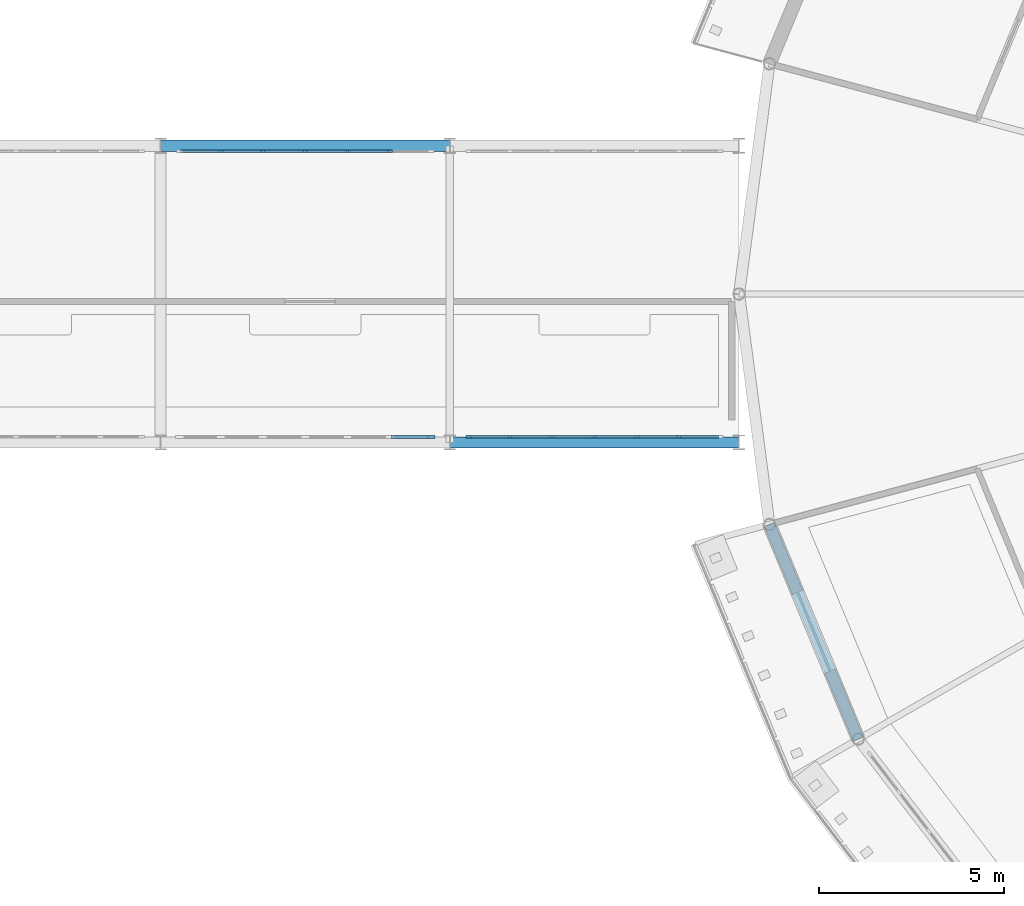
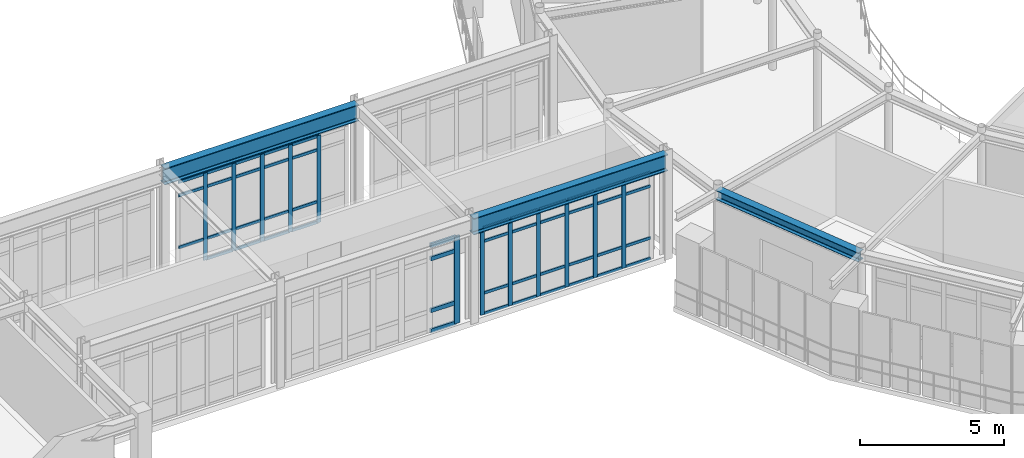
# One storey, part 29 of 90: 59 members, 3 beams, 3 elements without a shape of their own.
"""IFC4 building model written with IfcOpenShell, lengths in metres."""

from ifc_helpers import new_model, si_unit, derived_unit, direction, frame, origin, origin_2d, place, context, subcontext, project, spatial, rectangle, i_section, extrude, material, layer, layer_set, material_profile, profile_set, type_object, element, aggregate, save


model = new_model("IFC4")

# Units and contexts
model_context = context("Model", 3, precision=1e-05, world=origin(), true_north=direction((0.0, 1.0)))
body_context = subcontext(model_context, "Body", "Model", "MODEL_VIEW")
ifc_project = project(units=[si_unit("LENGTHUNIT", "METRE"), si_unit("AREAUNIT", "SQUARE_METRE"), si_unit("VOLUMEUNIT", "CUBIC_METRE"), si_unit("PLANEANGLEUNIT", "RADIAN"), si_unit("MASSUNIT", "GRAM", prefix="KILO"), derived_unit("THERMALTRANSMITTANCEUNIT", [(si_unit("POWERUNIT", "WATT"), 1), (si_unit("AREAUNIT", "SQUARE_METRE"), -1), (si_unit("THERMODYNAMICTEMPERATUREUNIT", "KELVIN"), -1)])], contexts=[model_context])

# Site, building, storey
site_placement = place(None, origin())
site = spatial("IfcSite", under=ifc_project, at=site_placement, CompositionType="ELEMENT")
building_placement = place(site_placement, origin())
building = spatial("IfcBuilding", under=site, at=building_placement, Name="Yasenodar Specialist Clinic", CompositionType="ELEMENT")
storey_placement = place(building_placement, frame((0.0, 0.0, 9.0)))
storey = spatial("IfcBuildingStorey", under=building, at=storey_placement, Name="L02", CompositionType="ELEMENT", Elevation=9.0)

# Beams
ifc_material_1 = material(Name="Steel S355", Category="steel")
ifc_material_profile_1 = material_profile(ifc_material_1, i_section(OverallWidth=0.300048828125, OverallDepth=0.389892578125, WebThickness=0.010986328125, FlangeThickness=0.01904296875, FilletRadius=0.027099609375, at=origin_2d()), Name="HEA 400")
ifc_profile_set_1 = profile_set([ifc_material_profile_1], Name="Steel S355")
beam_type_1 = type_object("IfcBeamType", Name="BM-HEA400", PredefinedType="BEAM", material=ifc_profile_set_1)
beam_placement = place(storey_placement, frame((57.81787109375, 52.58837890625, 3.7548828125), z_axis=(0.382663829839, -0.9238876519, 0.0), x_axis=(0.9238876519, 0.382663829839, 0.0)))
element("IfcBeam", 1, at=beam_placement, inside=storey, type_object=beam_type_1, Name="L02 Drum V1 Perimeter Ring Beam", PredefinedType="BEAM", context=body_context, shape_type="SweptSolid", body=[
    extrude(i_section(OverallWidth=0.300048828125, OverallDepth=0.389892578125, WebThickness=0.010986328125, FlangeThickness=0.01904296875, FilletRadius=0.027099609375, at=origin_2d()), origin(), (0.0, 0.0, 1.0), 6.26513671875),
])
ifc_material_profile_2 = material_profile(ifc_material_1, i_section(OverallWidth=0.300048828125, OverallDepth=0.699951171875, WebThickness=0.01708984375, FlangeThickness=0.031982421875, FilletRadius=0.027099609375, at=origin_2d()), Name="HEB 700")
ifc_profile_set_2 = profile_set([ifc_material_profile_2], Name="Steel S355")
beam_type_2 = type_object("IfcBeamType", Name="BM-HEB700", PredefinedType="BEAM", material=ifc_profile_set_2)
for number, where, z_axis, x_axis, name in (
    (2, (49.199951171875, 54.800048828125, 4.074951171875), (1.0, 0.0, 0.0), (0.0, 1.0, 0.0), "L02 Light Bridge Girder"),
    (3, (41.39990234375, 62.800048828125, 4.074951171875), (1.0, 0.0, 0.0), (0.0, 1.0, 0.0), "L02 Light Bridge Girder"),
):
    element("IfcBeam", number, at=place(storey_placement, frame(where, z_axis=z_axis, x_axis=x_axis)), inside=storey, type_object=beam_type_2, Name=name, PredefinedType="BEAM", context=body_context, shape_type="SweptSolid", body=[
        extrude(i_section(OverallWidth=0.300048828125, OverallDepth=0.699951171875, WebThickness=0.01708984375, FlangeThickness=0.031982421875, FilletRadius=0.027099609375, at=origin_2d()), origin(), (0.0, 0.0, 1.0), 7.800048828125),
    ])

# Curtain wall, members
ifc_material_2 = material(Name="Bronze Anodized Aluminium and Triple Low-E Glass", Category="aluminium")
ifc_layer = layer(ifc_material_2, 0.19091796875)
ifc_layer_set = layer_set([ifc_layer], Name="Bronze Anodized Aluminium and Triple Low-E Glass")
curtain_wall_type = type_object("IfcCurtainWallType", Name="CW-SYS-03", PredefinedType="USERDEFINED", material=ifc_layer_set)
curtain_wall_1_placement = place(storey_placement, origin())
curtain_wall_1 = element("IfcCurtainWall", 4, at=curtain_wall_1_placement, inside=storey, type_object=curtain_wall_type, Name="L02 Unitised Curtain Wall 109", ObjectType="UNITISED CURTAIN WALL", PredefinedType="USERDEFINED")
ifc_material_3 = material(Name="Bronze Anodized Aluminium", Category="aluminium")
ifc_material_profile_3 = material_profile(ifc_material_3, rectangle(XDim=0.06005859375, YDim=0.159912109375, at=origin_2d()), Name="CW-MULL 60x160")
ifc_profile_set_3 = profile_set([ifc_material_profile_3], Name="Bronze Anodized Aluminium")
member_type_1 = type_object("IfcMemberType", Name="CW-MULL-160", PredefinedType="MULLION", material=ifc_profile_set_3)
member_1_placement = place(storey_placement, frame((43.02001953125, 62.64990234375, 0.0), z_axis=(0.0, 0.0, 1.0), x_axis=(0.0, 1.0, 0.0)))
member_1 = element("IfcMember", 5, at=member_1_placement, type_object=member_type_1, Name="CW-03 mullion 2", PredefinedType="MULLION", context=body_context, shape_type="SweptSolid", body=[
    extrude(rectangle(XDim=0.06005859375, YDim=0.159912109375, at=origin_2d()), origin(), (0.0, 0.0, 1.0), 3.702880859375),
])
member_2_placement = place(storey_placement, frame((44.159912109375, 62.64990234375, 0.0), z_axis=(0.0, 0.0, 1.0), x_axis=(0.0, 1.0, 0.0)))
member_2 = element("IfcMember", 6, at=member_2_placement, type_object=member_type_1, Name="CW-03 mullion 3", PredefinedType="MULLION", context=body_context, shape_type="SweptSolid", body=[
    extrude(rectangle(XDim=0.06005859375, YDim=0.159912109375, at=origin_2d()), origin(), (0.0, 0.0, 1.0), 3.702880859375),
])
member_3_placement = place(storey_placement, frame((45.300048828125, 62.64990234375, 0.0), z_axis=(0.0, 0.0, 1.0), x_axis=(0.0, 1.0, 0.0)))
member_3 = element("IfcMember", 7, at=member_3_placement, type_object=member_type_1, Name="CW-03 mullion 4", PredefinedType="MULLION", context=body_context, shape_type="SweptSolid", body=[
    extrude(rectangle(XDim=0.06005859375, YDim=0.159912109375, at=origin_2d()), origin(), (0.0, 0.0, 1.0), 3.702880859375),
])
member_4_placement = place(storey_placement, frame((46.43994140625, 62.64990234375, 0.0), z_axis=(0.0, 0.0, 1.0), x_axis=(0.0, 1.0, 0.0)))
member_4 = element("IfcMember", 8, at=member_4_placement, type_object=member_type_1, Name="CW-03 mullion 5", PredefinedType="MULLION", context=body_context, shape_type="SweptSolid", body=[
    extrude(rectangle(XDim=0.06005859375, YDim=0.159912109375, at=origin_2d()), origin(), (0.0, 0.0, 1.0), 3.702880859375),
])
member_5_placement = place(storey_placement, frame((47.580078125, 62.64990234375, 0.0), z_axis=(0.0, 0.0, 1.0), x_axis=(0.0, 1.0, 0.0)))
member_5 = element("IfcMember", 9, at=member_5_placement, type_object=member_type_1, Name="CW-03 mullion 6", PredefinedType="MULLION", context=body_context, shape_type="SweptSolid", body=[
    extrude(rectangle(XDim=0.06005859375, YDim=0.159912109375, at=origin_2d()), origin(), (0.0, 0.0, 1.0), 3.702880859375),
])

curtain_wall_2_placement = place(storey_placement, origin())
curtain_wall_2 = element("IfcCurtainWall", 10, at=curtain_wall_2_placement, inside=storey, type_object=curtain_wall_type, Name="L02 Unitised Curtain Wall 112", ObjectType="UNITISED CURTAIN WALL", PredefinedType="USERDEFINED")
member_6_placement = place(storey_placement, frame((55.3798828125, 54.949951171875, 0.0), z_axis=(0.0, 0.0, 1.0), x_axis=(0.0, -1.0, 0.0)))
member_6 = element("IfcMember", 11, at=member_6_placement, type_object=member_type_1, Name="CW-03 mullion 2", PredefinedType="MULLION", context=body_context, shape_type="SweptSolid", body=[
    extrude(rectangle(XDim=0.06005859375, YDim=0.159912109375, at=origin_2d()), origin(), (0.0, 0.0, 1.0), 3.702880859375),
])
member_7_placement = place(storey_placement, frame((54.239990234375, 54.949951171875, 0.0), z_axis=(0.0, 0.0, 1.0), x_axis=(0.0, -1.0, 0.0)))
member_7 = element("IfcMember", 12, at=member_7_placement, type_object=member_type_1, Name="CW-03 mullion 3", PredefinedType="MULLION", context=body_context, shape_type="SweptSolid", body=[
    extrude(rectangle(XDim=0.06005859375, YDim=0.159912109375, at=origin_2d()), origin(), (0.0, 0.0, 1.0), 3.702880859375),
])
member_8_placement = place(storey_placement, frame((53.10009765625, 54.949951171875, 0.0), z_axis=(0.0, 0.0, 1.0), x_axis=(0.0, -1.0, 0.0)))
member_8 = element("IfcMember", 13, at=member_8_placement, type_object=member_type_1, Name="CW-03 mullion 4", PredefinedType="MULLION", context=body_context, shape_type="SweptSolid", body=[
    extrude(rectangle(XDim=0.06005859375, YDim=0.159912109375, at=origin_2d()), origin(), (0.0, 0.0, 1.0), 3.702880859375),
])
member_9_placement = place(storey_placement, frame((51.9599609375, 54.949951171875, 0.0), z_axis=(0.0, 0.0, 1.0), x_axis=(0.0, -1.0, 0.0)))
member_9 = element("IfcMember", 14, at=member_9_placement, type_object=member_type_1, Name="CW-03 mullion 5", PredefinedType="MULLION", context=body_context, shape_type="SweptSolid", body=[
    extrude(rectangle(XDim=0.06005859375, YDim=0.159912109375, at=origin_2d()), origin(), (0.0, 0.0, 1.0), 3.702880859375),
])
member_10_placement = place(storey_placement, frame((50.820068359375, 54.949951171875, 0.0), z_axis=(0.0, 0.0, 1.0), x_axis=(0.0, -1.0, 0.0)))
member_10 = element("IfcMember", 15, at=member_10_placement, type_object=member_type_1, Name="CW-03 mullion 6", PredefinedType="MULLION", context=body_context, shape_type="SweptSolid", body=[
    extrude(rectangle(XDim=0.06005859375, YDim=0.159912109375, at=origin_2d()), origin(), (0.0, 0.0, 1.0), 3.702880859375),
])
member_11_placement = place(storey_placement, frame((49.7099609375, 54.949951171875, 0.0), z_axis=(0.0, 0.0, 1.0), x_axis=(0.0, -1.0, 0.0)))
member_11 = element("IfcMember", 16, at=member_11_placement, type_object=member_type_1, Name="CW-03 mullion 7", PredefinedType="MULLION", context=body_context, shape_type="SweptSolid", body=[
    extrude(rectangle(XDim=0.06005859375, YDim=0.159912109375, at=origin_2d()), origin(), (0.0, 0.0, 1.0), 3.702880859375),
])

# Curtain wall, member
curtain_wall_3_placement = place(storey_placement, origin())
curtain_wall_3 = element("IfcCurtainWall", 17, at=curtain_wall_3_placement, inside=storey, type_object=curtain_wall_type, Name="L02 Unitised Curtain Wall 110", ObjectType="UNITISED CURTAIN WALL", PredefinedType="USERDEFINED")
ifc_material_profile_4 = material_profile(ifc_material_3, rectangle(XDim=0.074951171875, YDim=0.22509765625, at=origin_2d()), Name="CW-MULL 75x225")
ifc_profile_set_4 = profile_set([ifc_material_profile_4], Name="Bronze Anodized Aluminium")
member_type_2 = type_object("IfcMemberType", Name="CW-MULL-225", PredefinedType="MULLION", material=ifc_profile_set_4)
member_12_placement = place(storey_placement, frame((48.6826171875, 54.949951171875, 0.0), z_axis=(0.0, 0.0, 1.0), x_axis=(0.0, -1.0, 0.0)))
member_12 = element("IfcMember", 18, at=member_12_placement, type_object=member_type_2, Name="CW-03 mullion 1", PredefinedType="MULLION", context=body_context, shape_type="SweptSolid", body=[
    extrude(rectangle(XDim=0.074951171875, YDim=0.22509765625, at=origin_2d()), origin(), (0.0, 0.0, 1.0), 3.702880859375),
])

# Member
ifc_material_profile_5 = material_profile(ifc_material_3, rectangle(XDim=0.06005859375, YDim=0.1201171875, at=origin_2d()), Name="CW-TRAN 60x120")
ifc_profile_set_5 = profile_set([ifc_material_profile_5], Name="Bronze Anodized Aluminium")
member_type_3 = type_object("IfcMemberType", Name="CW-TRAN-120", PredefinedType="USERDEFINED", material=ifc_profile_set_5)
member_13_placement = place(storey_placement, frame((41.93994140625, 62.64990234375, 0.89990234375), z_axis=(1.0, 0.0, 0.0), x_axis=(0.0, 1.0, 0.0)))
member_13 = element("IfcMember", 19, at=member_13_placement, type_object=member_type_3, Name="CW-03 transom 1.2", ObjectType="TRANSOM", PredefinedType="USERDEFINED", context=body_context, shape_type="SweptSolid", body=[
    extrude(rectangle(XDim=0.06005859375, YDim=0.1201171875, at=origin_2d()), origin(), (0.0, 0.0, 1.0), 1.050048828125),
])

member_14_placement = place(storey_placement, frame((41.93994140625, 62.64990234375, 3.10302734375), z_axis=(1.0, 0.0, 0.0), x_axis=(0.0, 1.0, 0.0)))
member_14 = element("IfcMember", 20, at=member_14_placement, type_object=member_type_3, Name="CW-03 transom 1.3", ObjectType="TRANSOM", PredefinedType="USERDEFINED", context=body_context, shape_type="SweptSolid", body=[
    extrude(rectangle(XDim=0.06005859375, YDim=0.1201171875, at=origin_2d()), origin(), (0.0, 0.0, 1.0), 1.050048828125),
])

member_15_placement = place(storey_placement, frame((41.93994140625, 62.64990234375, 3.673095703125), z_axis=(1.0, 0.0, 0.0), x_axis=(0.0, 1.0, 0.0)))
member_15 = element("IfcMember", 21, at=member_15_placement, type_object=member_type_3, Name="CW-03 transom 1.4", ObjectType="TRANSOM", PredefinedType="USERDEFINED", context=body_context, shape_type="SweptSolid", body=[
    extrude(rectangle(XDim=0.06005859375, YDim=0.1201171875, at=origin_2d()), origin(), (0.0, 0.0, 1.0), 1.050048828125),
])

member_16_placement = place(storey_placement, frame((43.050048828125, 62.64990234375, 0.030029296875), z_axis=(1.0, 0.0, 0.0), x_axis=(0.0, 1.0, 0.0)))
member_16 = element("IfcMember", 22, at=member_16_placement, type_object=member_type_3, Name="CW-03 transom 2.1", ObjectType="TRANSOM", PredefinedType="USERDEFINED", context=body_context, shape_type="SweptSolid", body=[
    extrude(rectangle(XDim=0.06005859375, YDim=0.1201171875, at=origin_2d()), origin(), (0.0, 0.0, 1.0), 1.079833984375),
])

member_17_placement = place(storey_placement, frame((43.050048828125, 62.64990234375, 0.89990234375), z_axis=(1.0, 0.0, 0.0), x_axis=(0.0, 1.0, 0.0)))
member_17 = element("IfcMember", 23, at=member_17_placement, type_object=member_type_3, Name="CW-03 transom 2.2", ObjectType="TRANSOM", PredefinedType="USERDEFINED", context=body_context, shape_type="SweptSolid", body=[
    extrude(rectangle(XDim=0.06005859375, YDim=0.1201171875, at=origin_2d()), origin(), (0.0, 0.0, 1.0), 1.079833984375),
])

member_18_placement = place(storey_placement, frame((43.050048828125, 62.64990234375, 3.10302734375), z_axis=(1.0, 0.0, 0.0), x_axis=(0.0, 1.0, 0.0)))
member_18 = element("IfcMember", 24, at=member_18_placement, type_object=member_type_3, Name="CW-03 transom 2.3", ObjectType="TRANSOM", PredefinedType="USERDEFINED", context=body_context, shape_type="SweptSolid", body=[
    extrude(rectangle(XDim=0.06005859375, YDim=0.1201171875, at=origin_2d()), origin(), (0.0, 0.0, 1.0), 1.079833984375),
])

member_19_placement = place(storey_placement, frame((43.050048828125, 62.64990234375, 3.673095703125), z_axis=(1.0, 0.0, 0.0), x_axis=(0.0, 1.0, 0.0)))
member_19 = element("IfcMember", 25, at=member_19_placement, type_object=member_type_3, Name="CW-03 transom 2.4", ObjectType="TRANSOM", PredefinedType="USERDEFINED", context=body_context, shape_type="SweptSolid", body=[
    extrude(rectangle(XDim=0.06005859375, YDim=0.1201171875, at=origin_2d()), origin(), (0.0, 0.0, 1.0), 1.079833984375),
])

member_20_placement = place(storey_placement, frame((44.18994140625, 62.64990234375, 0.030029296875), z_axis=(1.0, 0.0, 0.0), x_axis=(0.0, 1.0, 0.0)))
member_20 = element("IfcMember", 26, at=member_20_placement, type_object=member_type_3, Name="CW-03 transom 3.1", ObjectType="TRANSOM", PredefinedType="USERDEFINED", context=body_context, shape_type="SweptSolid", body=[
    extrude(rectangle(XDim=0.06005859375, YDim=0.1201171875, at=origin_2d()), origin(), (0.0, 0.0, 1.0), 1.080078125),
])

member_21_placement = place(storey_placement, frame((44.18994140625, 62.64990234375, 0.89990234375), z_axis=(1.0, 0.0, 0.0), x_axis=(0.0, 1.0, 0.0)))
member_21 = element("IfcMember", 27, at=member_21_placement, type_object=member_type_3, Name="CW-03 transom 3.2", ObjectType="TRANSOM", PredefinedType="USERDEFINED", context=body_context, shape_type="SweptSolid", body=[
    extrude(rectangle(XDim=0.06005859375, YDim=0.1201171875, at=origin_2d()), origin(), (0.0, 0.0, 1.0), 1.080078125),
])

member_22_placement = place(storey_placement, frame((44.18994140625, 62.64990234375, 3.10302734375), z_axis=(1.0, 0.0, 0.0), x_axis=(0.0, 1.0, 0.0)))
member_22 = element("IfcMember", 28, at=member_22_placement, type_object=member_type_3, Name="CW-03 transom 3.3", ObjectType="TRANSOM", PredefinedType="USERDEFINED", context=body_context, shape_type="SweptSolid", body=[
    extrude(rectangle(XDim=0.06005859375, YDim=0.1201171875, at=origin_2d()), origin(), (0.0, 0.0, 1.0), 1.080078125),
])

member_23_placement = place(storey_placement, frame((44.18994140625, 62.64990234375, 3.673095703125), z_axis=(1.0, 0.0, 0.0), x_axis=(0.0, 1.0, 0.0)))
member_23 = element("IfcMember", 29, at=member_23_placement, type_object=member_type_3, Name="CW-03 transom 3.4", ObjectType="TRANSOM", PredefinedType="USERDEFINED", context=body_context, shape_type="SweptSolid", body=[
    extrude(rectangle(XDim=0.06005859375, YDim=0.1201171875, at=origin_2d()), origin(), (0.0, 0.0, 1.0), 1.080078125),
])

member_24_placement = place(storey_placement, frame((45.330078125, 62.64990234375, 0.030029296875), z_axis=(1.0, 0.0, 0.0), x_axis=(0.0, 1.0, 0.0)))
member_24 = element("IfcMember", 30, at=member_24_placement, type_object=member_type_3, Name="CW-03 transom 4.1", ObjectType="TRANSOM", PredefinedType="USERDEFINED", context=body_context, shape_type="SweptSolid", body=[
    extrude(rectangle(XDim=0.06005859375, YDim=0.1201171875, at=origin_2d()), origin(), (0.0, 0.0, 1.0), 1.079833984375),
])

member_25_placement = place(storey_placement, frame((45.330078125, 62.64990234375, 0.89990234375), z_axis=(1.0, 0.0, 0.0), x_axis=(0.0, 1.0, 0.0)))
member_25 = element("IfcMember", 31, at=member_25_placement, type_object=member_type_3, Name="CW-03 transom 4.2", ObjectType="TRANSOM", PredefinedType="USERDEFINED", context=body_context, shape_type="SweptSolid", body=[
    extrude(rectangle(XDim=0.06005859375, YDim=0.1201171875, at=origin_2d()), origin(), (0.0, 0.0, 1.0), 1.079833984375),
])

member_26_placement = place(storey_placement, frame((45.330078125, 62.64990234375, 3.10302734375), z_axis=(1.0, 0.0, 0.0), x_axis=(0.0, 1.0, 0.0)))
member_26 = element("IfcMember", 32, at=member_26_placement, type_object=member_type_3, Name="CW-03 transom 4.3", ObjectType="TRANSOM", PredefinedType="USERDEFINED", context=body_context, shape_type="SweptSolid", body=[
    extrude(rectangle(XDim=0.06005859375, YDim=0.1201171875, at=origin_2d()), origin(), (0.0, 0.0, 1.0), 1.079833984375),
])

member_27_placement = place(storey_placement, frame((45.330078125, 62.64990234375, 3.673095703125), z_axis=(1.0, 0.0, 0.0), x_axis=(0.0, 1.0, 0.0)))
member_27 = element("IfcMember", 33, at=member_27_placement, type_object=member_type_3, Name="CW-03 transom 4.4", ObjectType="TRANSOM", PredefinedType="USERDEFINED", context=body_context, shape_type="SweptSolid", body=[
    extrude(rectangle(XDim=0.06005859375, YDim=0.1201171875, at=origin_2d()), origin(), (0.0, 0.0, 1.0), 1.079833984375),
])

member_28_placement = place(storey_placement, frame((46.469970703125, 62.64990234375, 0.030029296875), z_axis=(1.0, 0.0, 0.0), x_axis=(0.0, 1.0, 0.0)))
member_28 = element("IfcMember", 34, at=member_28_placement, type_object=member_type_3, Name="CW-03 transom 5.1", ObjectType="TRANSOM", PredefinedType="USERDEFINED", context=body_context, shape_type="SweptSolid", body=[
    extrude(rectangle(XDim=0.06005859375, YDim=0.1201171875, at=origin_2d()), origin(), (0.0, 0.0, 1.0), 1.080078125),
])

member_29_placement = place(storey_placement, frame((46.469970703125, 62.64990234375, 0.89990234375), z_axis=(1.0, 0.0, 0.0), x_axis=(0.0, 1.0, 0.0)))
member_29 = element("IfcMember", 35, at=member_29_placement, type_object=member_type_3, Name="CW-03 transom 5.2", ObjectType="TRANSOM", PredefinedType="USERDEFINED", context=body_context, shape_type="SweptSolid", body=[
    extrude(rectangle(XDim=0.06005859375, YDim=0.1201171875, at=origin_2d()), origin(), (0.0, 0.0, 1.0), 1.080078125),
])

member_30_placement = place(storey_placement, frame((46.469970703125, 62.64990234375, 3.10302734375), z_axis=(1.0, 0.0, 0.0), x_axis=(0.0, 1.0, 0.0)))
member_30 = element("IfcMember", 36, at=member_30_placement, type_object=member_type_3, Name="CW-03 transom 5.3", ObjectType="TRANSOM", PredefinedType="USERDEFINED", context=body_context, shape_type="SweptSolid", body=[
    extrude(rectangle(XDim=0.06005859375, YDim=0.1201171875, at=origin_2d()), origin(), (0.0, 0.0, 1.0), 1.080078125),
])

member_31_placement = place(storey_placement, frame((46.469970703125, 62.64990234375, 3.673095703125), z_axis=(1.0, 0.0, 0.0), x_axis=(0.0, 1.0, 0.0)))
member_31 = element("IfcMember", 37, at=member_31_placement, type_object=member_type_3, Name="CW-03 transom 5.4", ObjectType="TRANSOM", PredefinedType="USERDEFINED", context=body_context, shape_type="SweptSolid", body=[
    extrude(rectangle(XDim=0.06005859375, YDim=0.1201171875, at=origin_2d()), origin(), (0.0, 0.0, 1.0), 1.080078125),
])

aggregate(curtain_wall_1, [member_1, member_2, member_3, member_4, member_5, member_13, member_14, member_15, member_16, member_17, member_18, member_19, member_20, member_21, member_22, member_23, member_24, member_25, member_26, member_27, member_28, member_29, member_30, member_31])

member_32_placement = place(storey_placement, frame((56.4599609375, 54.949951171875, 0.030029296875), z_axis=(-1.0, 0.0, 0.0), x_axis=(0.0, -1.0, 0.0)))
member_32 = element("IfcMember", 38, at=member_32_placement, type_object=member_type_3, Name="CW-03 transom 1.1", ObjectType="TRANSOM", PredefinedType="USERDEFINED", context=body_context, shape_type="SweptSolid", body=[
    extrude(rectangle(XDim=0.06005859375, YDim=0.1201171875, at=origin_2d()), origin(), (0.0, 0.0, 1.0), 1.050048828125),
])

member_33_placement = place(storey_placement, frame((56.4599609375, 54.949951171875, 0.89990234375), z_axis=(-1.0, 0.0, 0.0), x_axis=(0.0, -1.0, 0.0)))
member_33 = element("IfcMember", 39, at=member_33_placement, type_object=member_type_3, Name="CW-03 transom 1.2", ObjectType="TRANSOM", PredefinedType="USERDEFINED", context=body_context, shape_type="SweptSolid", body=[
    extrude(rectangle(XDim=0.06005859375, YDim=0.1201171875, at=origin_2d()), origin(), (0.0, 0.0, 1.0), 1.050048828125),
])

member_34_placement = place(storey_placement, frame((56.4599609375, 54.949951171875, 3.10302734375), z_axis=(-1.0, 0.0, 0.0), x_axis=(0.0, -1.0, 0.0)))
member_34 = element("IfcMember", 40, at=member_34_placement, type_object=member_type_3, Name="CW-03 transom 1.3", ObjectType="TRANSOM", PredefinedType="USERDEFINED", context=body_context, shape_type="SweptSolid", body=[
    extrude(rectangle(XDim=0.06005859375, YDim=0.1201171875, at=origin_2d()), origin(), (0.0, 0.0, 1.0), 1.050048828125),
])

member_35_placement = place(storey_placement, frame((56.4599609375, 54.949951171875, 3.673095703125), z_axis=(-1.0, 0.0, 0.0), x_axis=(0.0, -1.0, 0.0)))
member_35 = element("IfcMember", 41, at=member_35_placement, type_object=member_type_3, Name="CW-03 transom 1.4", ObjectType="TRANSOM", PredefinedType="USERDEFINED", context=body_context, shape_type="SweptSolid", body=[
    extrude(rectangle(XDim=0.06005859375, YDim=0.1201171875, at=origin_2d()), origin(), (0.0, 0.0, 1.0), 1.050048828125),
])

member_36_placement = place(storey_placement, frame((55.35009765625, 54.949951171875, 0.030029296875), z_axis=(-1.0, 0.0, 0.0), x_axis=(0.0, -1.0, 0.0)))
member_36 = element("IfcMember", 42, at=member_36_placement, type_object=member_type_3, Name="CW-03 transom 2.1", ObjectType="TRANSOM", PredefinedType="USERDEFINED", context=body_context, shape_type="SweptSolid", body=[
    extrude(rectangle(XDim=0.06005859375, YDim=0.1201171875, at=origin_2d()), origin(), (0.0, 0.0, 1.0), 1.080078125),
])

member_37_placement = place(storey_placement, frame((55.35009765625, 54.949951171875, 0.89990234375), z_axis=(-1.0, 0.0, 0.0), x_axis=(0.0, -1.0, 0.0)))
member_37 = element("IfcMember", 43, at=member_37_placement, type_object=member_type_3, Name="CW-03 transom 2.2", ObjectType="TRANSOM", PredefinedType="USERDEFINED", context=body_context, shape_type="SweptSolid", body=[
    extrude(rectangle(XDim=0.06005859375, YDim=0.1201171875, at=origin_2d()), origin(), (0.0, 0.0, 1.0), 1.080078125),
])

member_38_placement = place(storey_placement, frame((55.35009765625, 54.949951171875, 3.10302734375), z_axis=(-1.0, 0.0, 0.0), x_axis=(0.0, -1.0, 0.0)))
member_38 = element("IfcMember", 44, at=member_38_placement, type_object=member_type_3, Name="CW-03 transom 2.3", ObjectType="TRANSOM", PredefinedType="USERDEFINED", context=body_context, shape_type="SweptSolid", body=[
    extrude(rectangle(XDim=0.06005859375, YDim=0.1201171875, at=origin_2d()), origin(), (0.0, 0.0, 1.0), 1.080078125),
])

member_39_placement = place(storey_placement, frame((55.35009765625, 54.949951171875, 3.673095703125), z_axis=(-1.0, 0.0, 0.0), x_axis=(0.0, -1.0, 0.0)))
member_39 = element("IfcMember", 45, at=member_39_placement, type_object=member_type_3, Name="CW-03 transom 2.4", ObjectType="TRANSOM", PredefinedType="USERDEFINED", context=body_context, shape_type="SweptSolid", body=[
    extrude(rectangle(XDim=0.06005859375, YDim=0.1201171875, at=origin_2d()), origin(), (0.0, 0.0, 1.0), 1.080078125),
])

member_40_placement = place(storey_placement, frame((54.2099609375, 54.949951171875, 0.030029296875), z_axis=(-1.0, 0.0, 0.0), x_axis=(0.0, -1.0, 0.0)))
member_40 = element("IfcMember", 46, at=member_40_placement, type_object=member_type_3, Name="CW-03 transom 3.1", ObjectType="TRANSOM", PredefinedType="USERDEFINED", context=body_context, shape_type="SweptSolid", body=[
    extrude(rectangle(XDim=0.06005859375, YDim=0.1201171875, at=origin_2d()), origin(), (0.0, 0.0, 1.0), 1.080078125),
])

member_41_placement = place(storey_placement, frame((54.2099609375, 54.949951171875, 0.89990234375), z_axis=(-1.0, 0.0, 0.0), x_axis=(0.0, -1.0, 0.0)))
member_41 = element("IfcMember", 47, at=member_41_placement, type_object=member_type_3, Name="CW-03 transom 3.2", ObjectType="TRANSOM", PredefinedType="USERDEFINED", context=body_context, shape_type="SweptSolid", body=[
    extrude(rectangle(XDim=0.06005859375, YDim=0.1201171875, at=origin_2d()), origin(), (0.0, 0.0, 1.0), 1.080078125),
])

member_42_placement = place(storey_placement, frame((54.2099609375, 54.949951171875, 3.10302734375), z_axis=(-1.0, 0.0, 0.0), x_axis=(0.0, -1.0, 0.0)))
member_42 = element("IfcMember", 48, at=member_42_placement, type_object=member_type_3, Name="CW-03 transom 3.3", ObjectType="TRANSOM", PredefinedType="USERDEFINED", context=body_context, shape_type="SweptSolid", body=[
    extrude(rectangle(XDim=0.06005859375, YDim=0.1201171875, at=origin_2d()), origin(), (0.0, 0.0, 1.0), 1.080078125),
])

member_43_placement = place(storey_placement, frame((54.2099609375, 54.949951171875, 3.673095703125), z_axis=(-1.0, 0.0, 0.0), x_axis=(0.0, -1.0, 0.0)))
member_43 = element("IfcMember", 49, at=member_43_placement, type_object=member_type_3, Name="CW-03 transom 3.4", ObjectType="TRANSOM", PredefinedType="USERDEFINED", context=body_context, shape_type="SweptSolid", body=[
    extrude(rectangle(XDim=0.06005859375, YDim=0.1201171875, at=origin_2d()), origin(), (0.0, 0.0, 1.0), 1.080078125),
])

member_44_placement = place(storey_placement, frame((53.070068359375, 54.949951171875, 0.030029296875), z_axis=(-1.0, 0.0, 0.0), x_axis=(0.0, -1.0, 0.0)))
member_44 = element("IfcMember", 50, at=member_44_placement, type_object=member_type_3, Name="CW-03 transom 4.1", ObjectType="TRANSOM", PredefinedType="USERDEFINED", context=body_context, shape_type="SweptSolid", body=[
    extrude(rectangle(XDim=0.06005859375, YDim=0.1201171875, at=origin_2d()), origin(), (0.0, 0.0, 1.0), 1.080078125),
])

member_45_placement = place(storey_placement, frame((53.070068359375, 54.949951171875, 0.89990234375), z_axis=(-1.0, 0.0, 0.0), x_axis=(0.0, -1.0, 0.0)))
member_45 = element("IfcMember", 51, at=member_45_placement, type_object=member_type_3, Name="CW-03 transom 4.2", ObjectType="TRANSOM", PredefinedType="USERDEFINED", context=body_context, shape_type="SweptSolid", body=[
    extrude(rectangle(XDim=0.06005859375, YDim=0.1201171875, at=origin_2d()), origin(), (0.0, 0.0, 1.0), 1.080078125),
])

member_46_placement = place(storey_placement, frame((53.070068359375, 54.949951171875, 3.10302734375), z_axis=(-1.0, 0.0, 0.0), x_axis=(0.0, -1.0, 0.0)))
member_46 = element("IfcMember", 52, at=member_46_placement, type_object=member_type_3, Name="CW-03 transom 4.3", ObjectType="TRANSOM", PredefinedType="USERDEFINED", context=body_context, shape_type="SweptSolid", body=[
    extrude(rectangle(XDim=0.06005859375, YDim=0.1201171875, at=origin_2d()), origin(), (0.0, 0.0, 1.0), 1.080078125),
])

member_47_placement = place(storey_placement, frame((53.070068359375, 54.949951171875, 3.673095703125), z_axis=(-1.0, 0.0, 0.0), x_axis=(0.0, -1.0, 0.0)))
member_47 = element("IfcMember", 53, at=member_47_placement, type_object=member_type_3, Name="CW-03 transom 4.4", ObjectType="TRANSOM", PredefinedType="USERDEFINED", context=body_context, shape_type="SweptSolid", body=[
    extrude(rectangle(XDim=0.06005859375, YDim=0.1201171875, at=origin_2d()), origin(), (0.0, 0.0, 1.0), 1.080078125),
])

member_48_placement = place(storey_placement, frame((51.929931640625, 54.949951171875, 0.030029296875), z_axis=(-1.0, 0.0, 0.0), x_axis=(0.0, -1.0, 0.0)))
member_48 = element("IfcMember", 54, at=member_48_placement, type_object=member_type_3, Name="CW-03 transom 5.1", ObjectType="TRANSOM", PredefinedType="USERDEFINED", context=body_context, shape_type="SweptSolid", body=[
    extrude(rectangle(XDim=0.06005859375, YDim=0.1201171875, at=origin_2d()), origin(), (0.0, 0.0, 1.0), 1.079833984375),
])

member_49_placement = place(storey_placement, frame((51.929931640625, 54.949951171875, 0.89990234375), z_axis=(-1.0, 0.0, 0.0), x_axis=(0.0, -1.0, 0.0)))
member_49 = element("IfcMember", 55, at=member_49_placement, type_object=member_type_3, Name="CW-03 transom 5.2", ObjectType="TRANSOM", PredefinedType="USERDEFINED", context=body_context, shape_type="SweptSolid", body=[
    extrude(rectangle(XDim=0.06005859375, YDim=0.1201171875, at=origin_2d()), origin(), (0.0, 0.0, 1.0), 1.079833984375),
])

member_50_placement = place(storey_placement, frame((51.929931640625, 54.949951171875, 3.10302734375), z_axis=(-1.0, 0.0, 0.0), x_axis=(0.0, -1.0, 0.0)))
member_50 = element("IfcMember", 56, at=member_50_placement, type_object=member_type_3, Name="CW-03 transom 5.3", ObjectType="TRANSOM", PredefinedType="USERDEFINED", context=body_context, shape_type="SweptSolid", body=[
    extrude(rectangle(XDim=0.06005859375, YDim=0.1201171875, at=origin_2d()), origin(), (0.0, 0.0, 1.0), 1.079833984375),
])

member_51_placement = place(storey_placement, frame((51.929931640625, 54.949951171875, 3.673095703125), z_axis=(-1.0, 0.0, 0.0), x_axis=(0.0, -1.0, 0.0)))
member_51 = element("IfcMember", 57, at=member_51_placement, type_object=member_type_3, Name="CW-03 transom 5.4", ObjectType="TRANSOM", PredefinedType="USERDEFINED", context=body_context, shape_type="SweptSolid", body=[
    extrude(rectangle(XDim=0.06005859375, YDim=0.1201171875, at=origin_2d()), origin(), (0.0, 0.0, 1.0), 1.079833984375),
])

member_52_placement = place(storey_placement, frame((50.7900390625, 54.949951171875, 0.030029296875), z_axis=(-1.0, 0.0, 0.0), x_axis=(0.0, -1.0, 0.0)))
member_52 = element("IfcMember", 58, at=member_52_placement, type_object=member_type_3, Name="CW-03 transom 6.1", ObjectType="TRANSOM", PredefinedType="USERDEFINED", context=body_context, shape_type="SweptSolid", body=[
    extrude(rectangle(XDim=0.06005859375, YDim=0.1201171875, at=origin_2d()), origin(), (0.0, 0.0, 1.0), 1.050048828125),
])

member_53_placement = place(storey_placement, frame((50.7900390625, 54.949951171875, 0.89990234375), z_axis=(-1.0, 0.0, 0.0), x_axis=(0.0, -1.0, 0.0)))
member_53 = element("IfcMember", 59, at=member_53_placement, type_object=member_type_3, Name="CW-03 transom 6.2", ObjectType="TRANSOM", PredefinedType="USERDEFINED", context=body_context, shape_type="SweptSolid", body=[
    extrude(rectangle(XDim=0.06005859375, YDim=0.1201171875, at=origin_2d()), origin(), (0.0, 0.0, 1.0), 1.050048828125),
])

member_54_placement = place(storey_placement, frame((50.7900390625, 54.949951171875, 3.10302734375), z_axis=(-1.0, 0.0, 0.0), x_axis=(0.0, -1.0, 0.0)))
member_54 = element("IfcMember", 60, at=member_54_placement, type_object=member_type_3, Name="CW-03 transom 6.3", ObjectType="TRANSOM", PredefinedType="USERDEFINED", context=body_context, shape_type="SweptSolid", body=[
    extrude(rectangle(XDim=0.06005859375, YDim=0.1201171875, at=origin_2d()), origin(), (0.0, 0.0, 1.0), 1.050048828125),
])

member_55_placement = place(storey_placement, frame((50.7900390625, 54.949951171875, 3.673095703125), z_axis=(-1.0, 0.0, 0.0), x_axis=(0.0, -1.0, 0.0)))
member_55 = element("IfcMember", 61, at=member_55_placement, type_object=member_type_3, Name="CW-03 transom 6.4", ObjectType="TRANSOM", PredefinedType="USERDEFINED", context=body_context, shape_type="SweptSolid", body=[
    extrude(rectangle(XDim=0.06005859375, YDim=0.1201171875, at=origin_2d()), origin(), (0.0, 0.0, 1.0), 1.050048828125),
])

aggregate(curtain_wall_2, [member_6, member_7, member_8, member_9, member_10, member_11, member_32, member_33, member_34, member_35, member_36, member_37, member_38, member_39, member_40, member_41, member_42, member_43, member_44, member_45, member_46, member_47, member_48, member_49, member_50, member_51, member_52, member_53, member_54, member_55])

ifc_material_profile_6 = material_profile(ifc_material_3, rectangle(XDim=0.074951171875, YDim=0.175048828125, at=origin_2d()), Name="CW-TRAN 75x175")
ifc_profile_set_6 = profile_set([ifc_material_profile_6], Name="Bronze Anodized Aluminium")
member_type_4 = type_object("IfcMemberType", Name="CW-TRAN-175", PredefinedType="USERDEFINED", material=ifc_profile_set_6)
member_56_placement = place(storey_placement, frame((48.64501953125, 54.949951171875, 0.03759765625), z_axis=(-1.0, 0.0, 0.0), x_axis=(0.0, -1.0, 0.0)))
member_56 = element("IfcMember", 62, at=member_56_placement, type_object=member_type_4, Name="CW-03 transom 1.1", ObjectType="TRANSOM", PredefinedType="USERDEFINED", context=body_context, shape_type="SweptSolid", body=[
    extrude(rectangle(XDim=0.074951171875, YDim=0.175048828125, at=origin_2d()), origin(), (0.0, 0.0, 1.0), 1.027587890625),
])

member_57_placement = place(storey_placement, frame((48.64501953125, 54.949951171875, 0.89990234375), z_axis=(-1.0, 0.0, 0.0), x_axis=(0.0, -1.0, 0.0)))
member_57 = element("IfcMember", 63, at=member_57_placement, type_object=member_type_4, Name="CW-03 transom 1.2", ObjectType="TRANSOM", PredefinedType="USERDEFINED", context=body_context, shape_type="SweptSolid", body=[
    extrude(rectangle(XDim=0.074951171875, YDim=0.175048828125, at=origin_2d()), origin(), (0.0, 0.0, 1.0), 1.027587890625),
])

member_58_placement = place(storey_placement, frame((48.64501953125, 54.949951171875, 3.10302734375), z_axis=(-1.0, 0.0, 0.0), x_axis=(0.0, -1.0, 0.0)))
member_58 = element("IfcMember", 64, at=member_58_placement, type_object=member_type_4, Name="CW-03 transom 1.3", ObjectType="TRANSOM", PredefinedType="USERDEFINED", context=body_context, shape_type="SweptSolid", body=[
    extrude(rectangle(XDim=0.074951171875, YDim=0.175048828125, at=origin_2d()), origin(), (0.0, 0.0, 1.0), 1.027587890625),
])

member_59_placement = place(storey_placement, frame((48.64501953125, 54.949951171875, 3.66552734375), z_axis=(-1.0, 0.0, 0.0), x_axis=(0.0, -1.0, 0.0)))
member_59 = element("IfcMember", 65, at=member_59_placement, type_object=member_type_4, Name="CW-03 transom 1.4", ObjectType="TRANSOM", PredefinedType="USERDEFINED", context=body_context, shape_type="SweptSolid", body=[
    extrude(rectangle(XDim=0.074951171875, YDim=0.175048828125, at=origin_2d()), origin(), (0.0, 0.0, 1.0), 1.027587890625),
])

aggregate(curtain_wall_3, [member_12, member_56, member_57, member_58, member_59])

save(model, "model.ifc")
